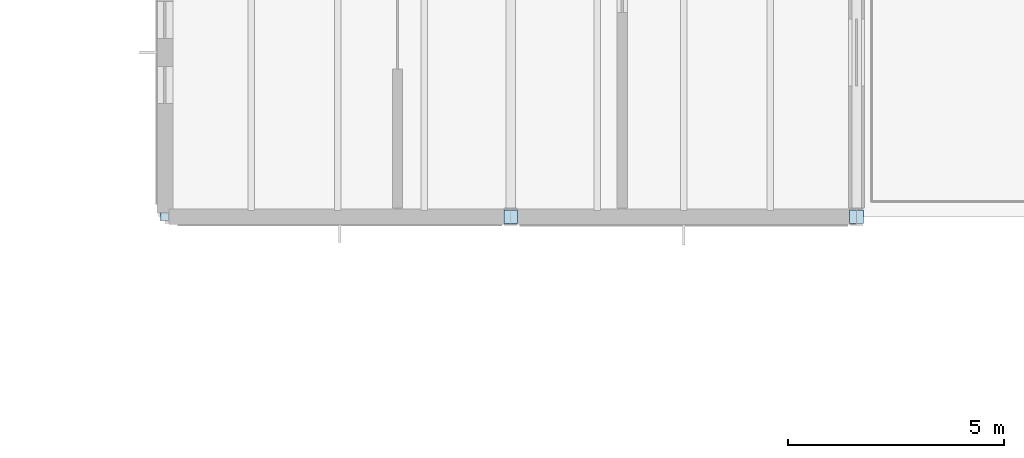
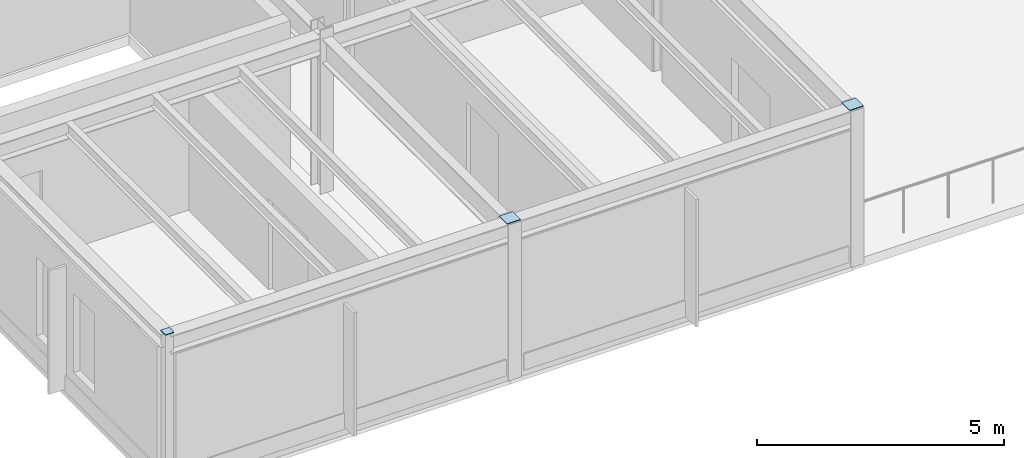
# One storey, part 49 of 65: 3 plates.
"""IFC4 building model written with IfcOpenShell, lengths in metres."""

from ifc_helpers import new_model, si_unit, direction, frame, origin, origin_2d, place, context, subcontext, project, spatial, rectangle, extrude, material, layer, layer_set, type_object, element, save


model = new_model("IFC4")

# Units and contexts
model_context = context("Model", 3, precision=1e-05, world=origin(), true_north=direction((0.0, 1.0)))
body_context = subcontext(model_context, "Body", "Model", "MODEL_VIEW")
ifc_project = project(units=[si_unit("LENGTHUNIT", "METRE"), si_unit("AREAUNIT", "SQUARE_METRE"), si_unit("VOLUMEUNIT", "CUBIC_METRE"), si_unit("PLANEANGLEUNIT", "RADIAN"), si_unit("MASSUNIT", "GRAM", prefix="KILO")], contexts=[model_context])

# Site, building, storey
site_placement = place(None, origin())
site = spatial("IfcSite", under=ifc_project, at=site_placement, CompositionType="ELEMENT")
building_placement = place(site_placement, origin())
building = spatial("IfcBuilding", under=site, at=building_placement, Name="Montecoro Central Library", CompositionType="ELEMENT")
storey_placement = place(building_placement, frame((0.0, 0.0, 17.340087890625)))
storey = spatial("IfcBuildingStorey", under=building, at=storey_placement, Name="L04", CompositionType="ELEMENT", Elevation=17.340087890625)

# Plates
ifc_material = material(Name="Steel S355", Category="steel")
ifc_layer = layer(ifc_material, 0.01611328125)
ifc_layer_set = layer_set([ifc_layer], Name="Steel S355")
plate_type = type_object("IfcPlateType", Name="PLT-CAP-16", PredefinedType="SHEET", material=ifc_layer_set)
plate_placement = place(storey_placement, frame((141.0, 96.199951171875, 3.849853515625), z_axis=(0.0, 0.0, 1.0), x_axis=(1.0, 0.0, 0.0)))
element("IfcPlate", 1, at=plate_placement, inside=storey, type_object=plate_type, Name="V5-L04-CAPPL-18-N", PredefinedType="SHEET", context=body_context, shape_type="SweptSolid", body=[
    extrude(rectangle(XDim=0.199951171875, YDim=0.199951171875, at=origin_2d()), origin(), (0.0, 0.0, 1.0), 0.01611328125),
])
for number, where, z_axis, x_axis, name in (
    (2, (149.0, 96.199951171875, 3.849853515625), (0.0, 0.0, 1.0), (1.0, 0.0, 0.0), "V5-L04-CAPPL-19-N"),
    (3, (157.0, 96.199951171875, 3.849853515625), (0.0, 0.0, 1.0), (1.0, 0.0, 0.0), "V5-L04-CAPPL-20-N"),
):
    element("IfcPlate", number, at=place(storey_placement, frame(where, z_axis=z_axis, x_axis=x_axis)), inside=storey, type_object=plate_type, Name=name, PredefinedType="SHEET", context=body_context, shape_type="SweptSolid", body=[
        extrude(rectangle(XDim=0.320068359375, YDim=0.320068359375, at=origin_2d()), origin(), (0.0, 0.0, 1.0), 0.01611328125),
    ])

save(model, "model.ifc")
